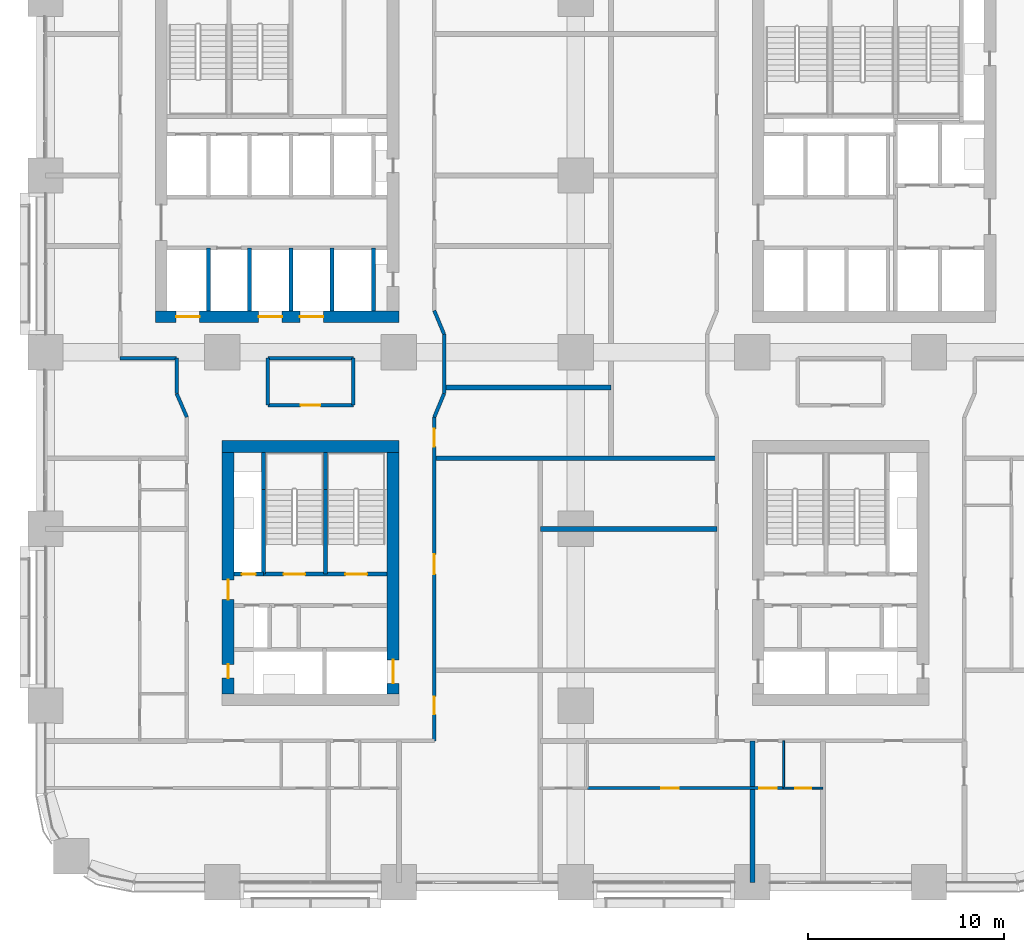
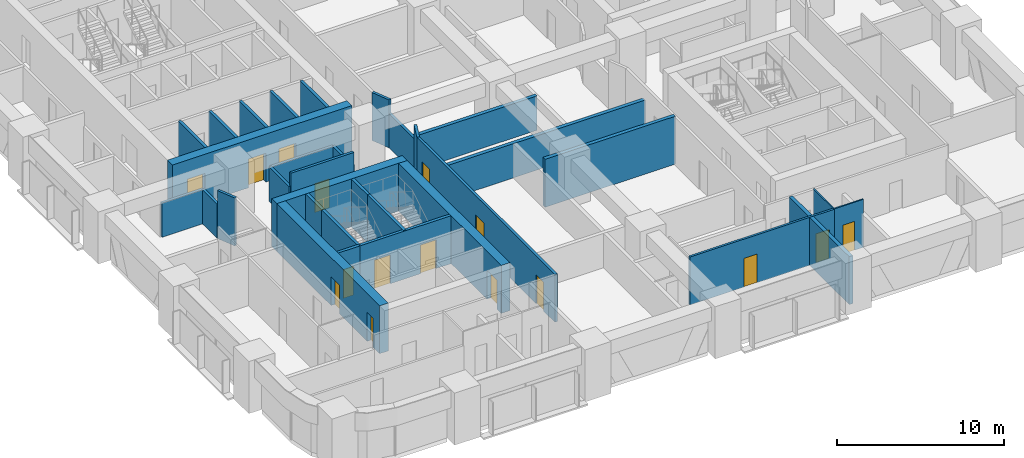
# One storey, part 15 of 23: 33 walls, 16 doors, 16 openings.
"""IFC4 building model written with IfcOpenShell, lengths in metres."""

import ifcopenshell
import ifcopenshell.guid

model = None  # the IFC model being written
_history = None  # IfcOwnerHistory: only IFC2X3 demands one
_inside = {}  # id of a spatial element -> (the spatial element, [elements in it])
_under = {}  # id of a project, library or spatial element -> (it, [spatial elements below it])
_declared = {}  # id of a project -> (the project, [libraries it declares])
_typed = {}  # id of a type object -> (the type object, [elements of that type])
_made_of = {}  # id of a material, layer set ... -> (it, [elements and type objects made of it])


def new_model(schema):
    """Start an empty IFC model of exactly this schema.

    Asked for "IFC4X3", IfcOpenShell would pick the latest addendum, in which some entities
    have other attributes; the version numbers below select the first issue.
    IFC2X3 requires an IfcOwnerHistory on every rooted entity: one is made here for all.
    """
    global model, _history
    if schema == "IFC4X3":
        model = ifcopenshell.file(schema_version=(4, 3, 0, 0))
    else:
        model = ifcopenshell.file(schema=schema)
    _inside.clear()
    _under.clear()
    _declared.clear()
    _typed.clear()
    _made_of.clear()
    _history = None
    if model.schema == "IFC2X3":
        org = make("IfcOrganization", Name="unknown")
        user = make(
            "IfcPersonAndOrganization",
            ThePerson=make("IfcPerson", FamilyName="unknown"),
            TheOrganization=org,
        )
        app = make(
            "IfcApplication",
            ApplicationDeveloper=org,
            Version="unknown",
            ApplicationFullName="unknown",
            ApplicationIdentifier="unknown",
        )
        _history = make(
            "IfcOwnerHistory",
            OwningUser=user,
            OwningApplication=app,
            ChangeAction="ADDED",
            CreationDate=0,
        )
    return model


def make(cls, **values):
    """One entity of the class cls with the attributes given. An attribute that is None is left unset."""
    return model.create_entity(
        cls, **{name: value for name, value in values.items() if value is not None}
    )


def rooted(cls, **values):
    """An entity with a GlobalId (a new one), such as an element, a storey or a relation."""
    return make(cls, GlobalId=ifcopenshell.guid.new(), OwnerHistory=_history, **values)


def si_unit(unit_type, name, prefix=None):
    """IfcSIUnit, for example si_unit("LENGTHUNIT", "METRE", prefix="MILLI")."""
    return make("IfcSIUnit", UnitType=unit_type, Prefix=prefix, Name=name)


def assignment(units):
    """IfcUnitAssignment: the units of a project."""
    return None if units is None else make("IfcUnitAssignment", Units=units)


def point(xyz):
    """IfcCartesianPoint."""
    return None if xyz is None else make("IfcCartesianPoint", Coordinates=xyz)


def direction(xyz):
    """IfcDirection."""
    return None if xyz is None else make("IfcDirection", DirectionRatios=xyz)


def frame(location, z_axis=None, x_axis=None):
    """IfcAxis2Placement3D, a coordinate frame: its origin and axes. An axis left out is left unset."""
    return make(
        "IfcAxis2Placement3D",
        Location=point(location),
        Axis=direction(z_axis),
        RefDirection=direction(x_axis),
    )


def frame_2d(location, x_axis=None):
    """IfcAxis2Placement2D, a coordinate frame in the plane: its origin and x axis."""
    return make(
        "IfcAxis2Placement2D", Location=point(location), RefDirection=direction(x_axis)
    )


def origin():
    """The frame at (0, 0, 0) with its axes left unset."""
    return frame((0.0, 0.0, 0.0))


def place(relative_to, where):
    """IfcLocalPlacement: puts the frame where relative to a parent placement (None: the world)."""
    return make(
        "IfcLocalPlacement", PlacementRelTo=relative_to, RelativePlacement=where
    )


def context(
    kind, dimensions, precision=None, world=None, true_north=None, identifier=None
):
    """IfcGeometricRepresentationContext, for example the 3D "Model" context."""
    return make(
        "IfcGeometricRepresentationContext",
        ContextIdentifier=identifier,
        ContextType=kind,
        CoordinateSpaceDimension=dimensions,
        Precision=precision,
        WorldCoordinateSystem=world,
        TrueNorth=true_north,
    )


def subcontext(parent, identifier, kind, view, scale=None):
    """IfcGeometricRepresentationSubContext, for example "Body" below "Model"."""
    return make(
        "IfcGeometricRepresentationSubContext",
        ContextIdentifier=identifier,
        ContextType=kind,
        ParentContext=parent,
        TargetScale=scale,
        TargetView=view,
    )


def project(units=None, contexts=None):
    """IfcProject with its units and contexts."""
    return rooted(
        "IfcProject",
        Name="project",
        RepresentationContexts=contexts,
        UnitsInContext=assignment(units),
    )


def spatial(cls, under=None, at=None, **own):
    """A site, building, storey or space (cls), placed at a placement, below another one or the project."""
    s = rooted(cls, ObjectPlacement=at, **own)
    if under is not None:
        _under.setdefault(under.id(), (under, []))[1].append(s)
    return s


def profile(cls, at=None, kind="AREA", **sizes):
    """A parametric profile (cls). Its sizes go by their IFC names, for example OverallWidth=200.0."""
    return make(cls, ProfileType=kind, Position=at, **sizes)


def rectangle(**sizes):
    """IfcRectangleProfileDef."""
    return profile("IfcRectangleProfileDef", **sizes)


def extrude(swept, where, along, depth):
    """IfcExtrudedAreaSolid: the profile swept, set in the frame where, extruded along a direction by depth."""
    return make(
        "IfcExtrudedAreaSolid",
        SweptArea=swept,
        Position=where,
        ExtrudedDirection=direction(along),
        Depth=depth,
    )


def shape(context_of_items, identifier, shape_type, items):
    """IfcShapeRepresentation: the items that make up one representation, for example the "Body"."""
    return make(
        "IfcShapeRepresentation",
        ContextOfItems=context_of_items,
        RepresentationIdentifier=identifier,
        RepresentationType=shape_type,
        Items=items,
    )


def material(Name=None, Category=None):
    """IfcMaterial."""
    return make("IfcMaterial", Name=Name, Category=Category)


def layer(
    of_material, thickness, ventilated=None, Name=None, Category=None, Priority=None
):
    """IfcMaterialLayer: one layer of a wall or slab, of a material (None: an air gap)."""
    return make(
        "IfcMaterialLayer",
        Material=of_material,
        LayerThickness=thickness,
        IsVentilated=ventilated,
        Name=Name,
        Category=Category,
        Priority=Priority,
    )


def layer_set(layers, Name=None):
    """IfcMaterialLayerSet."""
    return make("IfcMaterialLayerSet", MaterialLayers=layers, LayerSetName=Name)


def made_of(thing, what):
    """Note that an element or type object is made of a material, layer set ...; save() writes the relation."""
    if what is not None:
        _made_of.setdefault(what.id(), (what, []))[1].append(thing)
    return thing


def type_object(cls, material=None, **own):
    """A type object (cls), such as IfcWallType, which elements share."""
    return made_of(rooted(cls, **own), material)


def element(
    cls,
    number,
    at=None,
    inside=None,
    cuts=None,
    type_object=None,
    material=None,
    context=None,
    identifier="Body",
    shape_type=None,
    held_by="IfcProductDefinitionShape",
    body=None,
    shapes=None,
    **own,
):
    """One element of the class cls, such as IfcWall. Its Tag is "e" and its number.

    at: its placement. inside: the storey or other place that contains it. cuts: it is an
    opening in that element (IfcRelVoidsElement). A single representation is given by context,
    identifier, shape_type and body (its items); several are given by shapes. held_by: the class
    of the entity that holds the representations. save() writes the other relations.
    """
    e = rooted(cls, Tag="e%d" % number, ObjectPlacement=at, **own)
    if body is not None:
        shapes = [shape(context, identifier, shape_type, body)]
    if shapes is not None:
        e.Representation = make(held_by, Representations=shapes)
    if inside is not None:
        _inside.setdefault(inside.id(), (inside, []))[1].append(e)
    if cuts is not None:
        rooted(
            "IfcRelVoidsElement", RelatingBuildingElement=cuts, RelatedOpeningElement=e
        )
    if type_object is not None:
        _typed.setdefault(type_object.id(), (type_object, []))[1].append(e)
    return made_of(e, material)


def fill(opening, filler):
    """IfcRelFillsElement: the door or window that sits in an opening."""
    return rooted(
        "IfcRelFillsElement",
        RelatingOpeningElement=opening,
        RelatedBuildingElement=filler,
    )


def aggregate(whole, parts):
    """IfcRelAggregates: a whole, such as a stair, and the parts it consists of."""
    return rooted("IfcRelAggregates", RelatingObject=whole, RelatedObjects=parts)


def save(model, path):
    """Write the relations noted so far, then the file.

    IfcRelAggregates (storeys below a building ...), IfcRelContainedInSpatialStructure (elements
    in a storey), IfcRelDefinesByType, IfcRelAssociatesMaterial and IfcRelDeclares: one each for
    every whole, place, type object, material and project.
    """
    for whole, parts in _under.values():
        aggregate(whole, parts)
    for where, things in _inside.values():
        rooted(
            "IfcRelContainedInSpatialStructure",
            RelatedElements=things,
            RelatingStructure=where,
        )
    for kind, things in _typed.values():
        rooted("IfcRelDefinesByType", RelatedObjects=things, RelatingType=kind)
    for what, things in _made_of.values():
        rooted("IfcRelAssociatesMaterial", RelatedObjects=things, RelatingMaterial=what)
    for by, libraries in _declared.values():
        rooted("IfcRelDeclares", RelatingContext=by, RelatedDefinitions=libraries)
    model.write(path)


model = new_model("IFC4")

# Units and contexts
model_context = context("Model", 3, precision=1e-05, world=origin(), true_north=direction((0.0, 1.0)))
body_context = subcontext(model_context, "Body", "Model", "MODEL_VIEW")
ifc_project = project(units=[si_unit("LENGTHUNIT", "METRE"), si_unit("AREAUNIT", "SQUARE_METRE"), si_unit("VOLUMEUNIT", "CUBIC_METRE"), si_unit("PLANEANGLEUNIT", "RADIAN"), si_unit("MASSUNIT", "GRAM", prefix="KILO")], contexts=[model_context])

# Site, building, storey
site_placement = place(None, origin())
site = spatial("IfcSite", under=ifc_project, at=site_placement, CompositionType="ELEMENT")
building_placement = place(site_placement, origin())
building = spatial("IfcBuilding", under=site, at=building_placement, Name="Tessera Arch", CompositionType="ELEMENT")
storey_placement = place(building_placement, frame((0.0, 0.0, 57.60009765625)))
storey = spatial("IfcBuildingStorey", under=building, at=storey_placement, Name="L12", CompositionType="ELEMENT", Elevation=57.60009765625)

# Wall, openings, doors
ifc_material_1 = material(Name="Concrete C70/85", Category="concrete")
ifc_layer_1 = layer(ifc_material_1, 0.60009765625)
ifc_layer_set_1 = layer_set([ifc_layer_1], Name="Core shell wall 600 C70-85")
wall_type_1 = type_object("IfcWallType", Name="Core shell wall 600 C70-85", PredefinedType="SHEAR", material=ifc_layer_set_1)
wall_1_placement = place(storey_placement, frame((5.60009765625, 28.800048828125, 0.0), z_axis=(0.0, 0.0, 1.0), x_axis=(1.0, 0.0, 0.0)))
wall_1 = element("IfcWall", 1, at=wall_1_placement, inside=storey, type_object=wall_type_1, Name="L12 C2 core wall S", PredefinedType="SHEAR", context=body_context, shape_type="SweptSolid", body=[
    extrude(rectangle(XDim=12.39990234375, YDim=0.60009765625, at=frame_2d((6.199951171875, 0.0))), origin(), (0.0, 0.0, 1.0), 3.5),
])
opening_1_placement = place(wall_1_placement, frame((1.050048828125, 0.0, 0.0)))
opening_1 = element("IfcOpeningElement", 2, at=opening_1_placement, cuts=wall_1, Name="Opening L12-C14", PredefinedType="OPENING", context=body_context, shape_type="SweptSolid", body=[
    extrude(rectangle(XDim=1.199951171875, YDim=2.10009765625, at=frame_2d((0.60009765625, 1.050048828125))), frame((0.0, 0.31005859375, 0.0), z_axis=(0.0, -1.0, 0.0), x_axis=(1.0, 0.0, 0.0)), (0.0, 0.0, 1.0), 0.6201171875),
])
opening_2_placement = place(wall_1_placement, frame((5.25, 0.0, 0.0)))
opening_2 = element("IfcOpeningElement", 3, at=opening_2_placement, cuts=wall_1, Name="Opening L12-C16", PredefinedType="OPENING", context=body_context, shape_type="SweptSolid", body=[
    extrude(rectangle(XDim=1.199951171875, YDim=2.10009765625, at=frame_2d((0.60009765625, 1.050048828125))), frame((0.0, 0.31005859375, 0.0), z_axis=(0.0, -1.0, 0.0), x_axis=(1.0, 0.0, 0.0)), (0.0, 0.0, 1.0), 0.6201171875),
])
opening_3_placement = place(wall_1_placement, frame((7.35009765625, 0.0, 0.0)))
opening_3 = element("IfcOpeningElement", 4, at=opening_3_placement, cuts=wall_1, Name="Opening L12-C17", PredefinedType="OPENING", context=body_context, shape_type="SweptSolid", body=[
    extrude(rectangle(XDim=1.199951171875, YDim=2.10009765625, at=frame_2d((0.60009765625, 1.050048828125))), frame((0.0, 0.31005859375, 0.0), z_axis=(0.0, -1.0, 0.0), x_axis=(1.0, 0.0, 0.0)), (0.0, 0.0, 1.0), 0.6201171875),
])
ifc_material_2 = material(Name="Stainless steel AISI 304", Category="steel")
door_type_1 = type_object("IfcDoorType", Name="Sliding landing door 1200 x 2100", OperationType="SLIDING_TO_LEFT", PredefinedType="DOOR", material=ifc_material_2)
door_1_placement = place(opening_1_placement, origin())
door_1 = element("IfcDoor", 5, at=door_1_placement, inside=storey, type_object=door_type_1, Name="L12 LR1 lift landing door C14 type LD", OperationType="SLIDING_TO_LEFT", OverallHeight=2.10009765625, OverallWidth=1.199951171875, PredefinedType="DOOR", context=body_context, shape_type="SweptSolid", body=[
    extrude(rectangle(XDim=1.199951171875, YDim=2.10009765625, at=frame_2d((0.60009765625, 1.050048828125))), frame((0.0, 0.02490234375, 0.0), z_axis=(0.0, -1.0, 0.0), x_axis=(1.0, 0.0, 0.0)), (0.0, 0.0, 1.0), 0.050048828125),
])
fill(opening_1, door_1)
door_2_placement = place(opening_2_placement, origin())
door_2 = element("IfcDoor", 6, at=door_2_placement, inside=storey, type_object=door_type_1, Name="L12 LR3 lift landing door C16 type LD", OperationType="SLIDING_TO_LEFT", OverallHeight=2.10009765625, OverallWidth=1.199951171875, PredefinedType="DOOR", context=body_context, shape_type="SweptSolid", body=[
    extrude(rectangle(XDim=1.199951171875, YDim=2.10009765625, at=frame_2d((0.60009765625, 1.050048828125))), frame((0.0, 0.02490234375, 0.0), z_axis=(0.0, -1.0, 0.0), x_axis=(1.0, 0.0, 0.0)), (0.0, 0.0, 1.0), 0.050048828125),
])
fill(opening_2, door_2)
door_3_placement = place(opening_3_placement, origin())
door_3 = element("IfcDoor", 7, at=door_3_placement, inside=storey, type_object=door_type_1, Name="L12 LR4 lift landing door C17 type LD", OperationType="SLIDING_TO_LEFT", OverallHeight=2.10009765625, OverallWidth=1.199951171875, PredefinedType="DOOR", context=body_context, shape_type="SweptSolid", body=[
    extrude(rectangle(XDim=1.199951171875, YDim=2.10009765625, at=frame_2d((0.60009765625, 1.050048828125))), frame((0.0, 0.02490234375, 0.0), z_axis=(0.0, -1.0, 0.0), x_axis=(1.0, 0.0, 0.0)), (0.0, 0.0, 1.0), 0.050048828125),
])
fill(opening_3, door_3)

# Wall
wall_2_placement = place(storey_placement, frame((9.0, 22.199951171875, 0.0), z_axis=(0.0, 0.0, 1.0), x_axis=(1.0, 0.0, 0.0)))
element("IfcWall", 8, at=wall_2_placement, inside=storey, type_object=wall_type_1, Name="L12 C4 core wall N", PredefinedType="SHEAR", context=body_context, shape_type="SweptSolid", body=[
    extrude(rectangle(XDim=9.0, YDim=0.60009765625, at=frame_2d((4.5, 0.0))), origin(), (0.0, 0.0, 1.0), 3.5),
])

# Wall, openings, doors
wall_3_placement = place(storey_placement, frame((9.300048828125, 9.60009765625, 0.0), z_axis=(0.0, 0.0, 1.0), x_axis=(0.0, 1.0, 0.0)))
wall_3 = element("IfcWall", 9, at=wall_3_placement, inside=storey, type_object=wall_type_1, Name="L12 C4 core wall W", PredefinedType="SHEAR", context=body_context, shape_type="SweptSolid", body=[
    extrude(rectangle(XDim=12.2998046875, YDim=0.60009765625, at=frame_2d((6.14990234375, 0.0))), origin(), (0.0, 0.0, 1.0), 3.5),
])
opening_4_placement = place(wall_3_placement, frame((0.800048828125, 0.0, 0.0)))
opening_4 = element("IfcOpeningElement", 10, at=opening_4_placement, cuts=wall_3, Name="Opening L12-C45", PredefinedType="OPENING", context=body_context, shape_type="SweptSolid", body=[
    extrude(rectangle(XDim=0.699951171875, YDim=2.10009765625, at=frame_2d((0.35009765625, 1.050048828125))), frame((0.0, 0.31005859375, 0.0), z_axis=(0.0, -1.0, 0.0), x_axis=(1.0, 0.0, 0.0)), (0.0, 0.0, 1.0), 0.6201171875),
])
opening_5_placement = place(wall_3_placement, frame((4.800048828125, 0.0, 0.0)))
opening_5 = element("IfcOpeningElement", 11, at=opening_5_placement, cuts=wall_3, Name="Opening L12-C46", PredefinedType="OPENING", context=body_context, shape_type="SweptSolid", body=[
    extrude(rectangle(XDim=1.0, YDim=2.10009765625, at=frame_2d((0.5, 1.050048828125))), frame((0.0, 0.31005859375, 0.0), z_axis=(0.0, -1.0, 0.0), x_axis=(1.0, 0.0, 0.0)), (0.0, 0.0, 1.0), 0.6201171875),
])
ifc_material_3 = material(Name="Steel door leaf", Category="steel")
door_type_2 = type_object("IfcDoorType", Name="Corridor door FD60 1000 x 2100", OperationType="SINGLE_SWING_LEFT", PredefinedType="DOOR", material=ifc_material_3)
door_4_placement = place(opening_5_placement, origin())
door_4 = element("IfcDoor", 12, at=door_4_placement, inside=storey, type_object=door_type_2, Name="L12 C4 door 7 C46 type D12", OperationType="SINGLE_SWING_LEFT", OverallHeight=2.10009765625, OverallWidth=1.0, PredefinedType="DOOR", context=body_context, shape_type="SweptSolid", body=[
    extrude(rectangle(XDim=1.0, YDim=2.10009765625, at=frame_2d((0.5, 1.050048828125))), frame((0.0, 0.02490234375, 0.0), z_axis=(0.0, -1.0, 0.0), x_axis=(1.0, 0.0, 0.0)), (0.0, 0.0, 1.0), 0.050048828125),
])
fill(opening_5, door_4)
ifc_material_4 = material(Name="Steel door leaf", Category="steel")
door_type_3 = type_object("IfcDoorType", Name="Service shaft door FD60 700 x 2100", OperationType="SINGLE_SWING_LEFT", PredefinedType="DOOR", material=ifc_material_4)
door_5_placement = place(opening_4_placement, origin())
door_5 = element("IfcDoor", 13, at=door_5_placement, inside=storey, type_object=door_type_3, Name="L12 C4 door 6 C45 type D07", OperationType="SINGLE_SWING_LEFT", OverallHeight=2.10009765625, OverallWidth=0.699951171875, PredefinedType="DOOR", context=body_context, shape_type="SweptSolid", body=[
    extrude(rectangle(XDim=0.699951171875, YDim=2.10009765625, at=frame_2d((0.35009765625, 1.050048828125))), frame((0.0, 0.02490234375, 0.0), z_axis=(0.0, -1.0, 0.0), x_axis=(1.0, 0.0, 0.0)), (0.0, 0.0, 1.0), 0.050048828125),
])
fill(opening_4, door_5)

# Wall, opening, door
wall_4_placement = place(storey_placement, frame((17.699951171875, 9.60009765625, 0.0), z_axis=(0.0, 0.0, 1.0), x_axis=(0.0, 1.0, 0.0)))
wall_4 = element("IfcWall", 14, at=wall_4_placement, inside=storey, type_object=wall_type_1, Name="L12 C4 core wall E", PredefinedType="SHEAR", context=body_context, shape_type="SweptSolid", body=[
    extrude(rectangle(XDim=12.2998046875, YDim=0.60009765625, at=frame_2d((6.14990234375, 0.0))), origin(), (0.0, 0.0, 1.0), 3.5),
])
opening_6_placement = place(wall_4_placement, frame((0.52490234375, 0.0, 0.0)))
opening_6 = element("IfcOpeningElement", 15, at=opening_6_placement, cuts=wall_4, Name="Opening L12-C40", PredefinedType="OPENING", context=body_context, shape_type="SweptSolid", body=[
    extrude(rectangle(XDim=1.199951171875, YDim=2.10009765625, at=frame_2d((0.60009765625, 1.050048828125))), frame((0.0, 0.31005859375, 0.0), z_axis=(0.0, -1.0, 0.0), x_axis=(1.0, 0.0, 0.0)), (0.0, 0.0, 1.0), 0.6201171875),
])
door_6_placement = place(opening_6_placement, origin())
door_6 = element("IfcDoor", 16, at=door_6_placement, inside=storey, type_object=door_type_1, Name="L12 SV3 lift landing door C40 type LD", OperationType="SLIDING_TO_LEFT", OverallHeight=2.10009765625, OverallWidth=1.199951171875, PredefinedType="DOOR", context=body_context, shape_type="SweptSolid", body=[
    extrude(rectangle(XDim=1.199951171875, YDim=2.10009765625, at=frame_2d((0.60009765625, 1.050048828125))), frame((0.0, 0.02490234375, 0.0), z_axis=(0.0, -1.0, 0.0), x_axis=(1.0, 0.0, 0.0)), (0.0, 0.0, 1.0), 0.050048828125),
])
fill(opening_6, door_6)

ifc_material_5 = material(Name="Gypsum board on deep steel stud with mineral wool", Category="steel")
ifc_layer_2 = layer(ifc_material_5, 0.175048828125)
ifc_layer_set_2 = layer_set([ifc_layer_2], Name="Corridor wall 175 EI 60")
wall_type_2 = type_object("IfcWallType", Name="Corridor wall 175 EI 60", PredefinedType="PARTITIONING", material=ifc_layer_set_2)
wall_5_placement = place(storey_placement, frame((11.320068359375, 24.300048828125, 0.0), z_axis=(0.0, 0.0, 1.0), x_axis=(1.0, 0.0, 0.0)))
wall_5 = element("IfcWall", 17, at=wall_5_placement, inside=storey, type_object=wall_type_2, Name="L12 partition 3", PredefinedType="PARTITIONING", context=body_context, shape_type="SweptSolid", body=[
    extrude(rectangle(XDim=4.35986328125, YDim=0.175048828125, at=frame_2d((2.179931640625, 0.0))), origin(), (0.0, 0.0, 1.0), 3.5),
])
opening_7_placement = place(wall_5_placement, frame((1.679931640625, 0.0, 0.0)))
opening_7 = element("IfcOpeningElement", 18, at=opening_7_placement, cuts=wall_5, Name="Opening L12-D029", PredefinedType="OPENING", context=body_context, shape_type="SweptSolid", body=[
    extrude(rectangle(XDim=1.0, YDim=2.10009765625, at=frame_2d((0.5, 1.050048828125))), frame((0.0, 0.097412109375, 0.0), z_axis=(0.0, -1.0, 0.0), x_axis=(1.0, 0.0, 0.0)), (0.0, 0.0, 1.0), 0.195068359375),
])
ifc_material_6 = material(Name="Fire-rated door leaf")
door_type_4 = type_object("IfcDoorType", Name="Entrance door FD30S 1000 x 2100", OperationType="SINGLE_SWING_LEFT", PredefinedType="DOOR", material=ifc_material_6)
door_7_placement = place(opening_7_placement, origin())
door_7 = element("IfcDoor", 19, at=door_7_placement, inside=storey, type_object=door_type_4, Name="L12 door D029 type D03", OperationType="SINGLE_SWING_RIGHT", OverallHeight=2.10009765625, OverallWidth=1.0, PredefinedType="DOOR", context=body_context, shape_type="SweptSolid", body=[
    extrude(rectangle(XDim=1.0, YDim=2.10009765625, at=frame_2d((0.5, 1.050048828125))), frame((0.0, 0.02490234375, 0.0), z_axis=(0.0, -1.0, 0.0), x_axis=(1.0, 0.0, 0.0)), (0.0, 0.0, 1.0), 0.050048828125),
])
fill(opening_7, door_7)

# Walls
wall_6_placement = place(storey_placement, frame((3.800048828125, 26.699951171875, 0.0), z_axis=(0.0, 0.0, 1.0), x_axis=(1.0, 0.0, 0.0)))
element("IfcWall", 20, at=wall_6_placement, inside=storey, type_object=wall_type_2, Name="L12 partition 5", PredefinedType="PARTITIONING", context=body_context, shape_type="SweptSolid", body=[
    extrude(rectangle(XDim=2.8798828125, YDim=0.175048828125, at=frame_2d((1.43994140625, 0.0))), origin(), (0.0, 0.0, 1.0), 2.5),
])
wall_7_placement = place(storey_placement, frame((11.320068359375, 26.699951171875, 0.0), z_axis=(0.0, 0.0, 1.0), x_axis=(1.0, 0.0, 0.0)))
element("IfcWall", 21, at=wall_7_placement, inside=storey, type_object=wall_type_2, Name="L12 partition 6", PredefinedType="PARTITIONING", context=body_context, shape_type="SweptSolid", body=[
    extrude(rectangle(XDim=4.35986328125, YDim=0.175048828125, at=frame_2d((2.179931640625, 0.0))), origin(), (0.0, 0.0, 1.0), 2.5),
])
wall_8_placement = place(storey_placement, frame((6.679931640625, 24.889892578125, 0.0), z_axis=(0.0, 0.0, 1.0), x_axis=(0.0, 1.0, 0.0)))
element("IfcWall", 22, at=wall_8_placement, inside=storey, type_object=wall_type_2, Name="L12 partition 12", PredefinedType="PARTITIONING", context=body_context, shape_type="SweptSolid", body=[
    extrude(rectangle(XDim=1.81005859375, YDim=0.175048828125, at=frame_2d((0.905029296875, 0.0))), origin(), (0.0, 0.0, 1.0), 2.5),
])
for number, where, z_axis, x_axis, name in (
    (23, (11.320068359375, 24.300048828125, 0.0), (0.0, 0.0, 1.0), (0.0, 1.0, 0.0), "L12 partition 14"),
    (24, (15.679931640625, 24.300048828125, 0.0), (0.0, 0.0, 1.0), (0.0, 1.0, 0.0), "L12 partition 15"),
):
    element("IfcWall", number, at=place(storey_placement, frame(where, z_axis=z_axis, x_axis=x_axis)), inside=storey, type_object=wall_type_2, Name=name, PredefinedType="PARTITIONING", context=body_context, shape_type="SweptSolid", body=[
        extrude(rectangle(XDim=2.39990234375, YDim=0.175048828125, at=frame_2d((1.199951171875, 0.0))), origin(), (0.0, 0.0, 1.0), 2.5),
    ])

# Wall, openings, doors
wall_9_placement = place(storey_placement, frame((19.800048828125, 7.199951171875, 0.0), z_axis=(0.0, 0.0, 1.0), x_axis=(0.0, 1.0, 0.0)))
wall_9 = element("IfcWall", 25, at=wall_9_placement, inside=storey, type_object=wall_type_2, Name="L12 partition 16", PredefinedType="PARTITIONING", context=body_context, shape_type="SweptSolid", body=[
    extrude(rectangle(XDim=16.489990234375, YDim=0.175048828125, at=frame_2d((8.2451171875, 0.0))), origin(), (0.0, 0.0, 1.0), 3.5),
])
opening_8_placement = place(wall_9_placement, frame((1.35009765625, 0.0, 0.0)))
opening_8 = element("IfcOpeningElement", 26, at=opening_8_placement, cuts=wall_9, Name="Opening L12-D014", PredefinedType="OPENING", context=body_context, shape_type="SweptSolid", body=[
    extrude(rectangle(XDim=0.89990234375, YDim=2.10009765625, at=frame_2d((0.449951171875, 1.050048828125))), frame((0.0, 0.097412109375, 0.0), z_axis=(0.0, -1.0, 0.0), x_axis=(1.0, 0.0, 0.0)), (0.0, 0.0, 1.0), 0.195068359375),
])
opening_9_placement = place(wall_9_placement, frame((8.5, 0.0, 0.0)))
opening_9 = element("IfcOpeningElement", 27, at=opening_9_placement, cuts=wall_9, Name="Opening L12-D020", PredefinedType="OPENING", context=body_context, shape_type="SweptSolid", body=[
    extrude(rectangle(XDim=1.0, YDim=2.10009765625, at=frame_2d((0.5, 1.050048828125))), frame((0.0, 0.097412109375, 0.0), z_axis=(0.0, -1.0, 0.0), x_axis=(1.0, 0.0, 0.0)), (0.0, 0.0, 1.0), 0.195068359375),
])
opening_10_placement = place(wall_9_placement, frame((14.9951171875, 0.0, 0.0)))
opening_10 = element("IfcOpeningElement", 28, at=opening_10_placement, cuts=wall_9, Name="Opening L12-D028", PredefinedType="OPENING", context=body_context, shape_type="SweptSolid", body=[
    extrude(rectangle(XDim=0.89990234375, YDim=2.10009765625, at=frame_2d((0.449951171875, 1.050048828125))), frame((0.0, 0.097412109375, 0.0), z_axis=(0.0, -1.0, 0.0), x_axis=(1.0, 0.0, 0.0)), (0.0, 0.0, 1.0), 0.195068359375),
])
door_8_placement = place(opening_9_placement, origin())
door_8 = element("IfcDoor", 29, at=door_8_placement, inside=storey, type_object=door_type_4, Name="L12 door D020 type D03", OperationType="SINGLE_SWING_RIGHT", OverallHeight=2.10009765625, OverallWidth=1.0, PredefinedType="DOOR", context=body_context, shape_type="SweptSolid", body=[
    extrude(rectangle(XDim=1.0, YDim=2.10009765625, at=frame_2d((0.5, 1.050048828125))), frame((0.0, 0.02490234375, 0.0), z_axis=(0.0, -1.0, 0.0), x_axis=(1.0, 0.0, 0.0)), (0.0, 0.0, 1.0), 0.050048828125),
])
fill(opening_9, door_8)
ifc_material_7 = material(Name="Timber door leaf", Category="wood")
door_type_5 = type_object("IfcDoorType", Name="Room door 900 x 2100", OperationType="SINGLE_SWING_LEFT", PredefinedType="DOOR", material=ifc_material_7)
door_9_placement = place(opening_8_placement, origin())
door_9 = element("IfcDoor", 30, at=door_9_placement, inside=storey, type_object=door_type_5, Name="L12 door D014 type D01", OperationType="SINGLE_SWING_LEFT", OverallHeight=2.10009765625, OverallWidth=0.89990234375, PredefinedType="DOOR", context=body_context, shape_type="SweptSolid", body=[
    extrude(rectangle(XDim=0.89990234375, YDim=2.10009765625, at=frame_2d((0.449951171875, 1.050048828125))), frame((0.0, 0.02490234375, 0.0), z_axis=(0.0, -1.0, 0.0), x_axis=(1.0, 0.0, 0.0)), (0.0, 0.0, 1.0), 0.050048828125),
])
fill(opening_8, door_9)
door_10_placement = place(opening_10_placement, origin())
door_10 = element("IfcDoor", 31, at=door_10_placement, inside=storey, type_object=door_type_5, Name="L12 door D028 type D01", OperationType="SINGLE_SWING_RIGHT", OverallHeight=2.10009765625, OverallWidth=0.89990234375, PredefinedType="DOOR", context=body_context, shape_type="SweptSolid", body=[
    extrude(rectangle(XDim=0.89990234375, YDim=2.10009765625, at=frame_2d((0.449951171875, 1.050048828125))), frame((0.0, 0.02490234375, 0.0), z_axis=(0.0, -1.0, 0.0), x_axis=(1.0, 0.0, 0.0)), (0.0, 0.0, 1.0), 0.050048828125),
])
fill(opening_10, door_10)

# Walls
wall_10_placement = place(storey_placement, frame((20.300048828125, 24.889892578125, 0.0), z_axis=(0.0, 0.0, 1.0), x_axis=(0.0, 1.0, 0.0)))
element("IfcWall", 32, at=wall_10_placement, inside=storey, type_object=wall_type_2, Name="L12 partition 18", PredefinedType="PARTITIONING", context=body_context, shape_type="SweptSolid", body=[
    extrude(rectangle(XDim=3.030029296875, YDim=0.175048828125, at=frame_2d((1.51513671875, 0.0))), origin(), (0.0, 0.0, 1.0), 2.5),
])
wall_11_placement = place(storey_placement, frame((20.300048828125, 24.889892578125, 0.0), z_axis=(0.0, 0.0, 1.0), x_axis=(-0.384628719983, -0.923071366561, 0.0)))
element("IfcWall", 33, at=wall_11_placement, inside=storey, type_object=wall_type_2, Name="L12 partition 79", PredefinedType="PARTITIONING", context=body_context, shape_type="SweptSolid", body=[
    extrude(rectangle(XDim=1.300048828125, YDim=0.175048828125, at=frame_2d((0.64990234375, 0.0))), origin(), (0.0, 0.0, 1.0), 3.5),
])
wall_12_placement = place(storey_placement, frame((7.199951171875, 23.68994140625, 0.0), z_axis=(0.0, 0.0, 1.0), x_axis=(-0.397633632391, 0.917544273804, 0.0)))
element("IfcWall", 34, at=wall_12_placement, inside=storey, type_object=wall_type_2, Name="L12 partition 80", PredefinedType="PARTITIONING", context=body_context, shape_type="SweptSolid", body=[
    extrude(rectangle(XDim=1.307861328125, YDim=0.175048828125, at=frame_2d((0.65380859375, 0.0))), origin(), (0.0, 0.0, 1.0), 3.5),
])
wall_13_placement = place(storey_placement, frame((19.800048828125, 29.1201171875, 0.0), z_axis=(0.0, 0.0, 1.0), x_axis=(0.384562051588, -0.923099143363, 0.0)))
element("IfcWall", 35, at=wall_13_placement, inside=storey, type_object=wall_type_2, Name="L12 partition 81", PredefinedType="PARTITIONING", context=body_context, shape_type="SweptSolid", body=[
    extrude(rectangle(XDim=1.30029296875, YDim=0.175048828125, at=frame_2d((0.650146484375, 0.0))), origin(), (0.0, 0.0, 1.0), 3.5),
])

# Wall, openings, doors
ifc_material_8 = material(Name="Gypsum board on steel stud", Category="steel")
ifc_layer_3 = layer(ifc_material_8, 0.14990234375)
ifc_layer_set_3 = layer_set([ifc_layer_3], Name="Partition 150")
wall_type_3 = type_object("IfcWallType", Name="Partition 150", PredefinedType="PARTITIONING", material=ifc_layer_set_3)
wall_14_placement = place(storey_placement, frame((27.60009765625, 4.800048828125, 0.0), z_axis=(0.0, 0.0, 1.0), x_axis=(1.0, 0.0, 0.0)))
wall_14 = element("IfcWall", 36, at=wall_14_placement, inside=storey, type_object=wall_type_3, Name="L12 partition 29", PredefinedType="PARTITIONING", context=body_context, shape_type="SweptSolid", body=[
    extrude(rectangle(XDim=10.0, YDim=0.14990234375, at=frame_2d((5.0, 0.0))), origin(), (0.0, 0.0, 1.0), 3.5),
])
opening_11_placement = place(wall_14_placement, frame((3.75, 0.0, 0.0)))
opening_11 = element("IfcOpeningElement", 37, at=opening_11_placement, cuts=wall_14, Name="Opening L12-D005", PredefinedType="OPENING", context=body_context, shape_type="SweptSolid", body=[
    extrude(rectangle(XDim=0.89990234375, YDim=2.10009765625, at=frame_2d((0.449951171875, 1.050048828125))), frame((0.0, 0.0849609375, 0.0), z_axis=(0.0, -1.0, 0.0), x_axis=(1.0, 0.0, 0.0)), (0.0, 0.0, 1.0), 0.169921875),
])
opening_12_placement = place(wall_14_placement, frame((8.75, 0.0, 0.0)))
opening_12 = element("IfcOpeningElement", 38, at=opening_12_placement, cuts=wall_14, Name="Opening L12-D008", PredefinedType="OPENING", context=body_context, shape_type="SweptSolid", body=[
    extrude(rectangle(XDim=0.89990234375, YDim=2.10009765625, at=frame_2d((0.449951171875, 1.050048828125))), frame((0.0, 0.0849609375, 0.0), z_axis=(0.0, -1.0, 0.0), x_axis=(1.0, 0.0, 0.0)), (0.0, 0.0, 1.0), 0.169921875),
])
door_11_placement = place(opening_11_placement, origin())
door_11 = element("IfcDoor", 39, at=door_11_placement, inside=storey, type_object=door_type_5, Name="L12 door D005 type D01", OperationType="SINGLE_SWING_RIGHT", OverallHeight=2.10009765625, OverallWidth=0.89990234375, PredefinedType="DOOR", context=body_context, shape_type="SweptSolid", body=[
    extrude(rectangle(XDim=0.89990234375, YDim=2.10009765625, at=frame_2d((0.449951171875, 1.050048828125))), frame((0.0, 0.02490234375, 0.0), z_axis=(0.0, -1.0, 0.0), x_axis=(1.0, 0.0, 0.0)), (0.0, 0.0, 1.0), 0.050048828125),
])
fill(opening_11, door_11)
door_12_placement = place(opening_12_placement, origin())
door_12 = element("IfcDoor", 40, at=door_12_placement, inside=storey, type_object=door_type_5, Name="L12 door D008 type D01", OperationType="SINGLE_SWING_LEFT", OverallHeight=2.10009765625, OverallWidth=0.89990234375, PredefinedType="DOOR", context=body_context, shape_type="SweptSolid", body=[
    extrude(rectangle(XDim=0.89990234375, YDim=2.10009765625, at=frame_2d((0.449951171875, 1.050048828125))), frame((0.0, 0.02490234375, 0.0), z_axis=(0.0, -1.0, 0.0), x_axis=(1.0, 0.0, 0.0)), (0.0, 0.0, 1.0), 0.050048828125),
])
fill(opening_12, door_12)

# Walls
ifc_material_9 = material(Name="Double gypsum board on twin steel stud with acoustic mineral wool", Category="steel")
ifc_layer_4 = layer(ifc_material_9, 0.25)
ifc_layer_set_4 = layer_set([ifc_layer_4], Name="Party wall 250 EI 60")
wall_type_4 = type_object("IfcWallType", Name="Party wall 250 EI 60", PredefinedType="PARTITIONING", material=ifc_layer_set_4)
wall_15_placement = place(storey_placement, frame((25.199951171875, 18.0, 0.0), z_axis=(0.0, 0.0, 1.0), x_axis=(1.0, 0.0, 0.0)))
element("IfcWall", 41, at=wall_15_placement, inside=storey, type_object=wall_type_4, Name="L12 partition 38", PredefinedType="PARTITIONING", context=body_context, shape_type="SweptSolid", body=[
    extrude(rectangle(XDim=9.0, YDim=0.25, at=frame_2d((4.5, 0.0))), origin(), (0.0, 0.0, 1.0), 3.5),
])
wall_16_placement = place(storey_placement, frame((19.800048828125, 21.60009765625, 0.0), z_axis=(0.0, 0.0, 1.0), x_axis=(1.0, 0.0, 0.0)))
element("IfcWall", 42, at=wall_16_placement, inside=storey, type_object=wall_type_4, Name="L12 partition 40", PredefinedType="PARTITIONING", context=body_context, shape_type="SweptSolid", body=[
    extrude(rectangle(XDim=14.39990234375, YDim=0.25, at=frame_2d((7.199951171875, 0.0))), origin(), (0.0, 0.0, 1.0), 2.5),
])
wall_17_placement = place(storey_placement, frame((20.300048828125, 25.199951171875, 0.0), z_axis=(0.0, 0.0, 1.0), x_axis=(1.0, 0.0, 0.0)))
element("IfcWall", 43, at=wall_17_placement, inside=storey, type_object=wall_type_4, Name="L12 partition 42", PredefinedType="PARTITIONING", context=body_context, shape_type="SweptSolid", body=[
    extrude(rectangle(XDim=8.5, YDim=0.25, at=frame_2d((4.25, 0.0))), origin(), (0.0, 0.0, 1.0), 2.5),
])
wall_18_placement = place(storey_placement, frame((36.0, 0.0, 0.0), z_axis=(0.0, 0.0, 1.0), x_axis=(0.0, 1.0, 0.0)))
element("IfcWall", 44, at=wall_18_placement, inside=storey, type_object=wall_type_4, Name="L12 partition 57", PredefinedType="PARTITIONING", context=body_context, shape_type="SweptSolid", body=[
    extrude(rectangle(XDim=7.199951171875, YDim=0.25, at=frame_2d((3.60009765625, 0.0))), origin(), (0.0, 0.0, 1.0), 3.5),
])
ifc_material_10 = material(Name="Concrete C40/50", Category="concrete")
ifc_layer_5 = layer(ifc_material_10, 0.199951171875)
ifc_layer_set_5 = layer_set([ifc_layer_5], Name="Shaft wall 200 EI 120")
wall_type_5 = type_object("IfcWallType", Name="Shaft wall 200 EI 120", PredefinedType="SOLIDWALL", material=ifc_layer_set_5)
for number, where, z_axis, x_axis, name in (
    (45, (8.300048828125, 29.10009765625, 0.0), (0.0, 0.0, 1.0), (0.0, 1.0, 0.0), "L12 C2 shaft wall 1"),
    (46, (10.39990234375, 29.10009765625, 0.0), (0.0, 0.0, 1.0), (0.0, 1.0, 0.0), "L12 C2 shaft wall 5"),
    (47, (12.5, 29.10009765625, 0.0), (0.0, 0.0, 1.0), (0.0, 1.0, 0.0), "L12 C2 shaft wall 7"),
    (48, (14.60009765625, 29.10009765625, 0.0), (0.0, 0.0, 1.0), (0.0, 1.0, 0.0), "L12 C2 shaft wall 11"),
    (49, (16.699951171875, 29.10009765625, 0.0), (0.0, 0.0, 1.0), (0.0, 1.0, 0.0), "L12 C2 shaft wall 14"),
):
    element("IfcWall", number, at=place(storey_placement, frame(where, z_axis=z_axis, x_axis=x_axis)), inside=storey, type_object=wall_type_5, Name=name, PredefinedType="SOLIDWALL", context=body_context, shape_type="SweptSolid", body=[
        extrude(rectangle(XDim=3.199951171875, YDim=0.199951171875, at=frame_2d((1.60009765625, 0.0))), origin(), (0.0, 0.0, 1.0), 3.5),
    ])

# Wall, opening, door
wall_19_placement = place(storey_placement, frame((9.60009765625, 15.699951171875, 0.0), z_axis=(0.0, 0.0, 1.0), x_axis=(1.0, 0.0, 0.0)))
wall_19 = element("IfcWall", 50, at=wall_19_placement, inside=storey, type_object=wall_type_5, Name="L12 C4 shaft wall 11", PredefinedType="SOLIDWALL", context=body_context, shape_type="SweptSolid", body=[
    extrude(rectangle(XDim=1.5, YDim=0.199951171875, at=frame_2d((0.75, 0.0))), origin(), (0.0, 0.0, 1.0), 3.5),
])
opening_13_placement = place(wall_19_placement, frame((0.39990234375, 0.0, 0.0)))
opening_13 = element("IfcOpeningElement", 51, at=opening_13_placement, cuts=wall_19, Name="Opening L12-C43", PredefinedType="OPENING", context=body_context, shape_type="SweptSolid", body=[
    extrude(rectangle(XDim=0.699951171875, YDim=2.10009765625, at=frame_2d((0.35009765625, 1.050048828125))), frame((0.0, 0.10986328125, 0.0), z_axis=(0.0, -1.0, 0.0), x_axis=(1.0, 0.0, 0.0)), (0.0, 0.0, 1.0), 0.219970703125),
])
door_13_placement = place(opening_13_placement, origin())
door_13 = element("IfcDoor", 52, at=door_13_placement, inside=storey, type_object=door_type_3, Name="L12 C4 door 4 C43 type D07", OperationType="SINGLE_SWING_LEFT", OverallHeight=2.10009765625, OverallWidth=0.699951171875, PredefinedType="DOOR", context=body_context, shape_type="SweptSolid", body=[
    extrude(rectangle(XDim=0.699951171875, YDim=2.10009765625, at=frame_2d((0.35009765625, 1.050048828125))), frame((0.0, 0.02490234375, 0.0), z_axis=(0.0, -1.0, 0.0), x_axis=(1.0, 0.0, 0.0)), (0.0, 0.0, 1.0), 0.050048828125),
])
fill(opening_13, door_13)

# Walls
ifc_material_11 = material(Name="Concrete C40/50", Category="concrete")
ifc_layer_6 = layer(ifc_material_11, 0.199951171875)
ifc_layer_set_6 = layer_set([ifc_layer_6], Name="Stair well wall 200 REI 180")
wall_type_6 = type_object("IfcWallType", Name="Stair well wall 200 REI 180", PredefinedType="SOLIDWALL", material=ifc_layer_set_6)
wall_20_placement = place(storey_placement, frame((11.10009765625, 15.699951171875, 0.0), z_axis=(0.0, 0.0, 1.0), x_axis=(0.0, 1.0, 0.0)))
element("IfcWall", 53, at=wall_20_placement, inside=storey, type_object=wall_type_6, Name="L12 C4 shaft wall 1", PredefinedType="SOLIDWALL", context=body_context, shape_type="SweptSolid", body=[
    extrude(rectangle(XDim=4.300048828125, YDim=0.199951171875, at=frame_2d((2.14990234375, 0.0))), origin(), (0.0, 0.0, 1.0), 3.5),
])
wall_21_placement = place(storey_placement, frame((11.10009765625, 20.0, 0.0), z_axis=(0.0, 0.0, 1.0), x_axis=(0.0, 1.0, 0.0)))
element("IfcWall", 54, at=wall_21_placement, inside=storey, type_object=wall_type_6, Name="L12 C4 shaft wall 2", PredefinedType="SOLIDWALL", context=body_context, shape_type="SweptSolid", body=[
    extrude(rectangle(XDim=1.89990234375, YDim=0.199951171875, at=frame_2d((0.949951171875, 0.0))), origin(), (0.0, 0.0, 1.0), 3.5),
])
wall_22_placement = place(storey_placement, frame((14.25, 15.699951171875, 0.0), z_axis=(0.0, 0.0, 1.0), x_axis=(0.0, 1.0, 0.0)))
element("IfcWall", 55, at=wall_22_placement, inside=storey, type_object=wall_type_6, Name="L12 C4 shaft wall 6", PredefinedType="SOLIDWALL", context=body_context, shape_type="SweptSolid", body=[
    extrude(rectangle(XDim=4.300048828125, YDim=0.199951171875, at=frame_2d((2.14990234375, 0.0))), origin(), (0.0, 0.0, 1.0), 3.5),
])
wall_23_placement = place(storey_placement, frame((14.25, 20.0, 0.0), z_axis=(0.0, 0.0, 1.0), x_axis=(0.0, 1.0, 0.0)))
element("IfcWall", 56, at=wall_23_placement, inside=storey, type_object=wall_type_6, Name="L12 C4 shaft wall 7", PredefinedType="SOLIDWALL", context=body_context, shape_type="SweptSolid", body=[
    extrude(rectangle(XDim=1.89990234375, YDim=0.199951171875, at=frame_2d((0.949951171875, 0.0))), origin(), (0.0, 0.0, 1.0), 3.5),
])

# Wall, openings, doors
wall_24_placement = place(storey_placement, frame((11.10009765625, 15.699951171875, 0.0), z_axis=(0.0, 0.0, 1.0), x_axis=(1.0, 0.0, 0.0)))
wall_24 = element("IfcWall", 57, at=wall_24_placement, inside=storey, type_object=wall_type_6, Name="L12 C4 shaft wall 12", PredefinedType="SOLIDWALL", context=body_context, shape_type="SweptSolid", body=[
    extrude(rectangle(XDim=6.2998046875, YDim=0.199951171875, at=frame_2d((3.14990234375, 0.0))), origin(), (0.0, 0.0, 1.0), 3.5),
])
opening_14_placement = place(wall_24_placement, frame((4.175048828125, 0.0, 0.0)))
opening_14 = element("IfcOpeningElement", 58, at=opening_14_placement, cuts=wall_24, Name="Opening L12-C41", PredefinedType="OPENING", context=body_context, shape_type="SweptSolid", body=[
    extrude(rectangle(XDim=1.10009765625, YDim=2.10009765625, at=frame_2d((0.550048828125, 1.050048828125))), frame((0.0, 0.10986328125, 0.0), z_axis=(0.0, -1.0, 0.0), x_axis=(1.0, 0.0, 0.0)), (0.0, 0.0, 1.0), 0.219970703125),
])
opening_15_placement = place(wall_24_placement, frame((1.02490234375, 0.0, 0.0)))
opening_15 = element("IfcOpeningElement", 59, at=opening_15_placement, cuts=wall_24, Name="Opening L12-C42", PredefinedType="OPENING", context=body_context, shape_type="SweptSolid", body=[
    extrude(rectangle(XDim=1.10009765625, YDim=2.10009765625, at=frame_2d((0.550048828125, 1.050048828125))), frame((0.0, 0.10986328125, 0.0), z_axis=(0.0, -1.0, 0.0), x_axis=(1.0, 0.0, 0.0)), (0.0, 0.0, 1.0), 0.219970703125),
])
ifc_material_12 = material(Name="Steel door leaf", Category="steel")
door_type_6 = type_object("IfcDoorType", Name="Stair door FD60 1100 x 2100", OperationType="SINGLE_SWING_LEFT", PredefinedType="DOOR", material=ifc_material_12)
door_14_placement = place(opening_14_placement, origin())
door_14 = element("IfcDoor", 60, at=door_14_placement, inside=storey, type_object=door_type_6, Name="L12 C4 door 2 C41 type D05", OperationType="SINGLE_SWING_RIGHT", OverallHeight=2.10009765625, OverallWidth=1.10009765625, PredefinedType="DOOR", context=body_context, shape_type="SweptSolid", body=[
    extrude(rectangle(XDim=1.10009765625, YDim=2.10009765625, at=frame_2d((0.550048828125, 1.050048828125))), frame((0.0, 0.02490234375, 0.0), z_axis=(0.0, -1.0, 0.0), x_axis=(1.0, 0.0, 0.0)), (0.0, 0.0, 1.0), 0.050048828125),
])
fill(opening_14, door_14)
door_15_placement = place(opening_15_placement, origin())
door_15 = element("IfcDoor", 61, at=door_15_placement, inside=storey, type_object=door_type_6, Name="L12 C4 door 3 C42 type D05", OperationType="SINGLE_SWING_LEFT", OverallHeight=2.10009765625, OverallWidth=1.10009765625, PredefinedType="DOOR", context=body_context, shape_type="SweptSolid", body=[
    extrude(rectangle(XDim=1.10009765625, YDim=2.10009765625, at=frame_2d((0.550048828125, 1.050048828125))), frame((0.0, 0.02490234375, 0.0), z_axis=(0.0, -1.0, 0.0), x_axis=(1.0, 0.0, 0.0)), (0.0, 0.0, 1.0), 0.050048828125),
])
fill(opening_15, door_15)

# Wall, opening, door
ifc_material_13 = material(Name="Moisture-resistant board on pre-plumbed steel stud", Category="steel")
ifc_layer_7 = layer(ifc_material_13, 0.10009765625)
ifc_layer_set_7 = layer_set([ifc_layer_7], Name="Wet wall 100")
wall_type_7 = type_object("IfcWallType", Name="Wet wall 100", PredefinedType="PARTITIONING", material=ifc_layer_set_7)
wall_25_placement = place(storey_placement, frame((37.60009765625, 4.800048828125, 0.0), z_axis=(0.0, 0.0, 1.0), x_axis=(1.0, 0.0, 0.0)))
wall_25 = element("IfcWall", 62, at=wall_25_placement, inside=storey, type_object=wall_type_7, Name="L12 partition 65", PredefinedType="PARTITIONING", context=body_context, shape_type="SweptSolid", body=[
    extrude(rectangle(XDim=2.0, YDim=0.10009765625, at=frame_2d((1.0, 0.0))), origin(), (0.0, 0.0, 1.0), 3.5),
])
opening_16_placement = place(wall_25_placement, frame((0.60009765625, 0.0, 0.0)))
opening_16 = element("IfcOpeningElement", 63, at=opening_16_placement, cuts=wall_25, Name="Opening L12-D009", PredefinedType="OPENING", context=body_context, shape_type="SweptSolid", body=[
    extrude(rectangle(XDim=0.800048828125, YDim=2.10009765625, at=frame_2d((0.39990234375, 1.050048828125))), frame((0.0, 0.06005859375, 0.0), z_axis=(0.0, -1.0, 0.0), x_axis=(1.0, 0.0, 0.0)), (0.0, 0.0, 1.0), 0.1201171875),
])
ifc_material_14 = material(Name="Timber door leaf", Category="wood")
door_type_7 = type_object("IfcDoorType", Name="En-suite door 800 x 2100", OperationType="SINGLE_SWING_LEFT", PredefinedType="DOOR", material=ifc_material_14)
door_16_placement = place(opening_16_placement, origin())
door_16 = element("IfcDoor", 64, at=door_16_placement, inside=storey, type_object=door_type_7, Name="L12 door D009 type D02", OperationType="SINGLE_SWING_RIGHT", OverallHeight=2.10009765625, OverallWidth=0.800048828125, PredefinedType="DOOR", context=body_context, shape_type="SweptSolid", body=[
    extrude(rectangle(XDim=0.800048828125, YDim=2.10009765625, at=frame_2d((0.39990234375, 1.050048828125))), frame((0.0, 0.02490234375, 0.0), z_axis=(0.0, -1.0, 0.0), x_axis=(1.0, 0.0, 0.0)), (0.0, 0.0, 1.0), 0.050048828125),
])
fill(opening_16, door_16)

# Wall
wall_26_placement = place(storey_placement, frame((37.60009765625, 4.800048828125, 0.0), z_axis=(0.0, 0.0, 1.0), x_axis=(0.0, 1.0, 0.0)))
element("IfcWall", 65, at=wall_26_placement, inside=storey, type_object=wall_type_7, Name="L12 partition 74", PredefinedType="PARTITIONING", context=body_context, shape_type="SweptSolid", body=[
    extrude(rectangle(XDim=2.39990234375, YDim=0.10009765625, at=frame_2d((1.199951171875, 0.0))), origin(), (0.0, 0.0, 1.0), 3.5),
])

save(model, "model.ifc")
